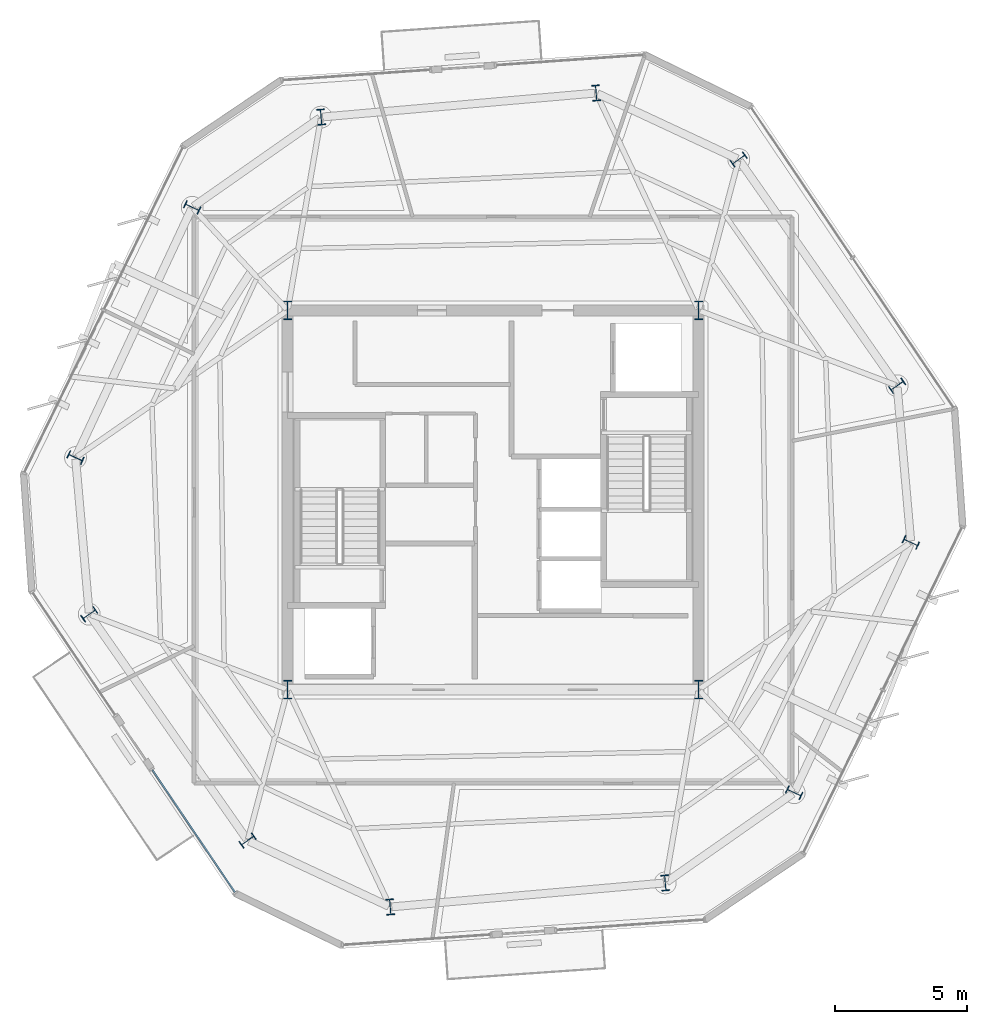
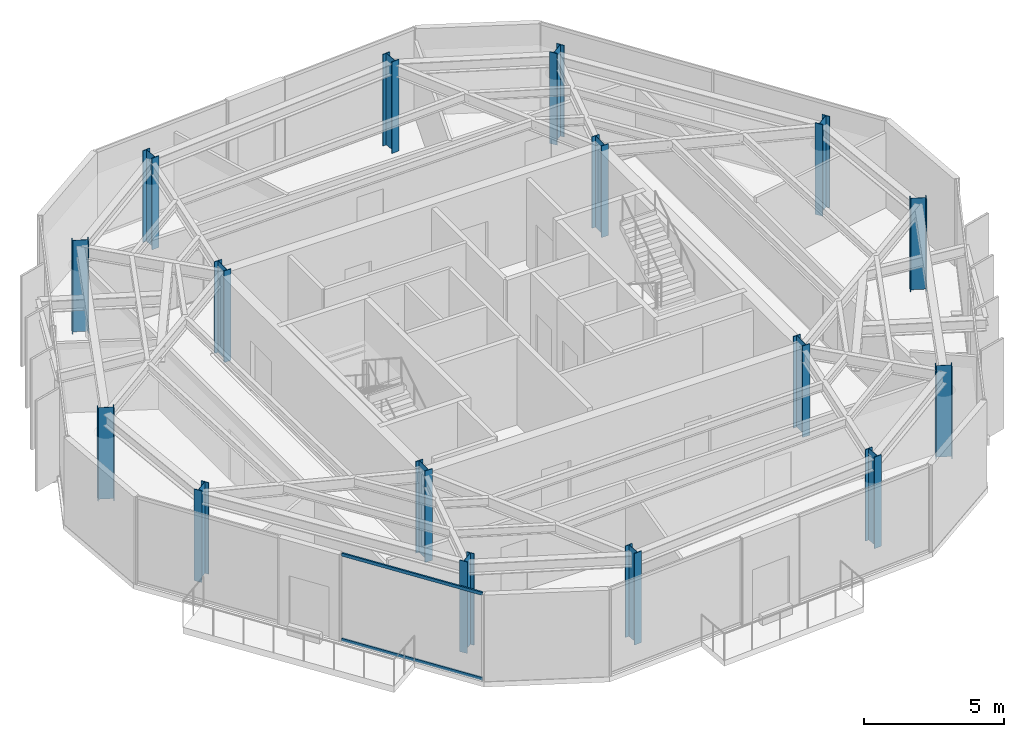
# One storey, part 1 of 13: 16 columns, 2 members, 1 element without a shape of its own.
"""IFC4 building model written with IfcOpenShell, lengths in metres."""

from ifc_helpers import new_model, si_unit, direction, frame, origin, origin_2d, place, context, subcontext, project, spatial, rectangle, i_section, extrude, material, layer, layer_set, material_profile, profile_set, type_object, element, aggregate, save


model = new_model("IFC4")

# Units and contexts
model_context = context("Model", 3, precision=1e-05, world=origin(), true_north=direction((0.0, 1.0)))
body_context = subcontext(model_context, "Body", "Model", "MODEL_VIEW")
ifc_project = project(units=[si_unit("LENGTHUNIT", "METRE"), si_unit("AREAUNIT", "SQUARE_METRE"), si_unit("VOLUMEUNIT", "CUBIC_METRE"), si_unit("PLANEANGLEUNIT", "RADIAN"), si_unit("MASSUNIT", "GRAM", prefix="KILO")], contexts=[model_context])

# Site, building, storey
site_placement = place(None, origin())
site = spatial("IfcSite", under=ifc_project, at=site_placement, CompositionType="ELEMENT")
building_placement = place(site_placement, origin())
building = spatial("IfcBuilding", under=site, at=building_placement, Name="Kranzbogen Civic Tower", CompositionType="ELEMENT")
storey_placement = place(building_placement, frame((0.0, 0.0, 282.199951171875)))
storey = spatial("IfcBuildingStorey", under=building, at=storey_placement, Name="L68", CompositionType="ELEMENT", Elevation=282.199951171875)

# Columns
ifc_material_1 = material(Name="Steel S355", Category="steel")
ifc_material_profile_1 = material_profile(ifc_material_1, i_section(OverallWidth=0.300048828125, OverallDepth=0.60009765625, WebThickness=0.015380859375, FlangeThickness=0.030029296875, at=origin_2d()), Name="HEB 600")
ifc_profile_set_1 = profile_set([ifc_material_profile_1], Name="Steel S355")
column_type_1 = type_object("IfcColumnType", Name="Structural Column HEB 600", PredefinedType="COLUMN", material=ifc_profile_set_1)
for number, where, z_axis, x_axis, name in (
    (1, (28.908935546875, 40.449951171875, 0.0), (0.0, 0.0, 1.0), (0.996194698092, 0.087155742748, 0.0), "L68 tower perimeter tube column 01"),
    (2, (18.467041015625, 39.535888671875, 0.0), (0.0, 0.0, 1.0), (0.996194698092, 0.087155742748, 0.0), "L68 tower perimeter tube column 02"),
    (3, (13.574951171875, 36.110107421875, 0.0), (0.0, 0.0, 1.0), (0.422618261741, 0.906307787037, 0.0), "L68 tower perimeter tube column 03"),
    (4, (9.14501953125, 26.610107421875, 0.0), (0.0, 0.0, 1.0), (0.422618261741, 0.906307787037, 0.0), "L68 tower perimeter tube column 04"),
    (5, (9.666015625, 20.660888671875, 0.0), (0.0, 0.0, 1.0), (-0.573576436351, 0.819152044289, 0.0), "L68 tower perimeter tube column 05"),
    (6, (15.677978515625, 12.073974609375, 0.0), (0.0, 0.0, 1.0), (-0.573576436351, 0.819152044289, 0.0), "L68 tower perimeter tube column 06"),
    (7, (21.091064453125, 9.550048828125, 0.0), (0.0, 0.0, 1.0), (0.996194698092, 0.087155742748, 0.0), "L68 tower perimeter tube column 07"),
    (8, (31.532958984375, 10.464111328125, 0.0), (0.0, 0.0, 1.0), (0.996194698092, 0.087155742748, 0.0), "L68 tower perimeter tube column 08"),
    (9, (36.425048828125, 13.889892578125, 0.0), (0.0, 0.0, 1.0), (0.422618261741, 0.906307787037, 0.0), "L68 tower perimeter tube column 09"),
    (10, (40.85498046875, 23.389892578125, 0.0), (0.0, 0.0, 1.0), (0.422618261741, 0.906307787037, 0.0), "L68 tower perimeter tube column 10"),
    (11, (40.333984375, 29.339111328125, 0.0), (0.0, 0.0, 1.0), (-0.573576436351, 0.819152044289, 0.0), "L68 tower perimeter tube column 11"),
    (12, (34.322021484375, 37.926025390625, 0.0), (0.0, 0.0, 1.0), (-0.573576436351, 0.819152044289, 0.0), "L68 tower perimeter tube column 12"),
):
    element("IfcColumn", number, at=place(storey_placement, frame(where, z_axis=z_axis, x_axis=x_axis)), inside=storey, type_object=column_type_1, Name=name, PredefinedType="COLUMN", context=body_context, shape_type="SweptSolid", body=[
        extrude(i_section(OverallWidth=0.300048828125, OverallDepth=0.60009765625, WebThickness=0.015380859375, FlangeThickness=0.030029296875, at=origin_2d()), origin(), (0.0, 0.0, 1.0), 4.0),
    ])
ifc_material_profile_2 = material_profile(ifc_material_1, i_section(OverallWidth=0.300048828125, OverallDepth=0.699951171875, WebThickness=0.01708984375, FlangeThickness=0.031982421875, at=origin_2d()), Name="HEB 700")
ifc_profile_set_2 = profile_set([ifc_material_profile_2], Name="Steel S355")
column_type_2 = type_object("IfcColumnType", Name="Structural Column HEB 700", PredefinedType="COLUMN", material=ifc_profile_set_2)
for number, where, z_axis, x_axis, name in (
    (13, (17.199951171875, 17.800048828125, 0.0), (0.0, 0.0, 1.0), (1.0, 0.0, 0.0), "L68 composite core corner column 1"),
    (14, (32.800048828125, 17.800048828125, 0.0), (0.0, 0.0, 1.0), (1.0, 0.0, 0.0), "L68 composite core corner column 2"),
    (15, (32.800048828125, 32.199951171875, 0.0), (0.0, 0.0, 1.0), (1.0, 0.0, 0.0), "L68 composite core corner column 3"),
    (16, (17.199951171875, 32.199951171875, 0.0), (0.0, 0.0, 1.0), (1.0, 0.0, 0.0), "L68 composite core corner column 4"),
):
    element("IfcColumn", number, at=place(storey_placement, frame(where, z_axis=z_axis, x_axis=x_axis)), inside=storey, type_object=column_type_2, Name=name, PredefinedType="COLUMN", context=body_context, shape_type="SweptSolid", body=[
        extrude(i_section(OverallWidth=0.300048828125, OverallDepth=0.699951171875, WebThickness=0.01708984375, FlangeThickness=0.031982421875, at=origin_2d()), origin(), (0.0, 0.0, 1.0), 4.0),
    ])

# Curtain wall, members
ifc_material_2 = material(Name="Pale Anodised Aluminium", Category="aluminium")
ifc_layer = layer(ifc_material_2, 0.219970703125, Name="Pale Anodised Aluminium")
ifc_layer_set = layer_set([ifc_layer], Name="Pale Anodised Aluminium")
curtain_wall_type = type_object("IfcCurtainWallType", Name="Zone 4 Stick Curtain Wall System CW-05", PredefinedType="USERDEFINED", material=ifc_layer_set)
curtain_wall_placement = place(storey_placement, origin())
curtain_wall = element("IfcCurtainWall", 17, at=curtain_wall_placement, inside=storey, type_object=curtain_wall_type, Name="L68 curtain wall CW-L68-F3-S2", ObjectType="STICK CURTAIN WALL", PredefinedType="USERDEFINED")
ifc_material_profile_3 = material_profile(ifc_material_2, rectangle(XDim=0.06494140625, YDim=0.135009765625, at=origin_2d()), Name="ALU-T 65x135")
ifc_profile_set_3 = profile_set([ifc_material_profile_3], Name="Pale Anodised Aluminium")
member_type = type_object("IfcMemberType", Name="Curtain Wall Transom ALU-T 65x135", PredefinedType="USERDEFINED", material=ifc_profile_set_3)
member_1_placement = place(storey_placement, frame((12.0625, 14.754150390625, 0.030029296875), z_axis=(0.55934712472, -0.828933528136, 0.0), x_axis=(0.828933528136, 0.55934712472, 0.0)))
member_1 = element("IfcMember", 18, at=member_1_placement, type_object=member_type, Name="CW-05 transom 1.1", ObjectType="TRANSOM", PredefinedType="USERDEFINED", context=body_context, shape_type="SweptSolid", body=[
    extrude(rectangle(XDim=0.06494140625, YDim=0.135009765625, at=origin_2d()), origin(), (0.0, 0.0, 1.0), 5.60302734375),
])
member_2_placement = place(storey_placement, frame((12.0625, 14.754150390625, 3.75), z_axis=(0.55934712472, -0.828933528136, 0.0), x_axis=(0.828933528136, 0.55934712472, 0.0)))
member_2 = element("IfcMember", 19, at=member_2_placement, type_object=member_type, Name="CW-05 transom 1.2", ObjectType="TRANSOM", PredefinedType="USERDEFINED", context=body_context, shape_type="SweptSolid", body=[
    extrude(rectangle(XDim=0.06494140625, YDim=0.135009765625, at=origin_2d()), origin(), (0.0, 0.0, 1.0), 5.60302734375),
])
aggregate(curtain_wall, [member_1, member_2])

save(model, "model.ifc")
